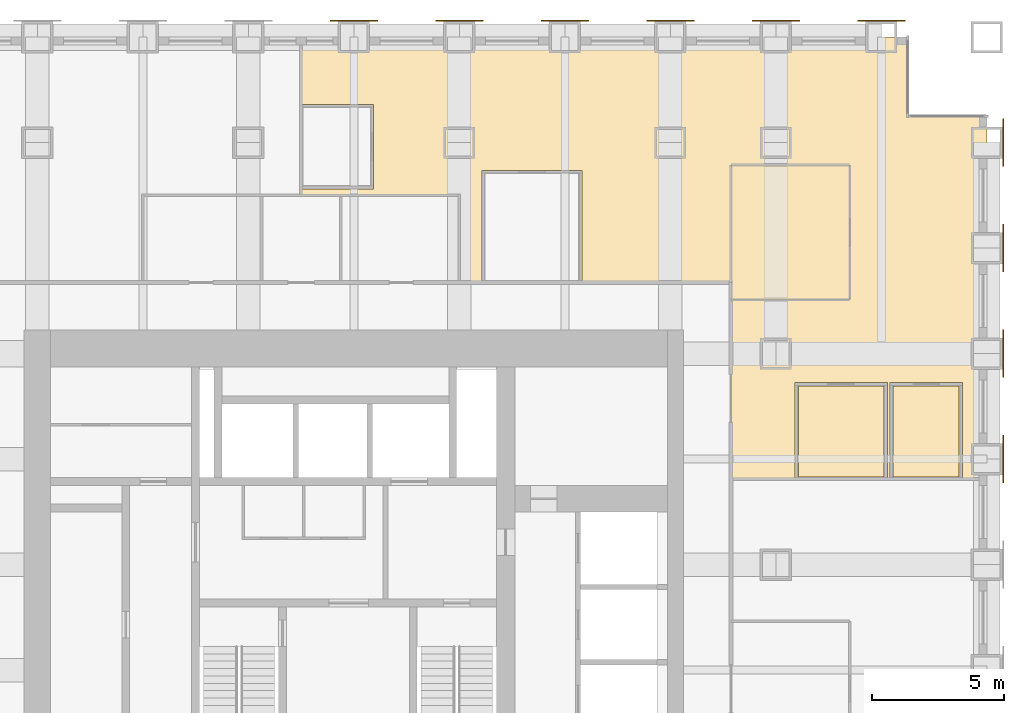
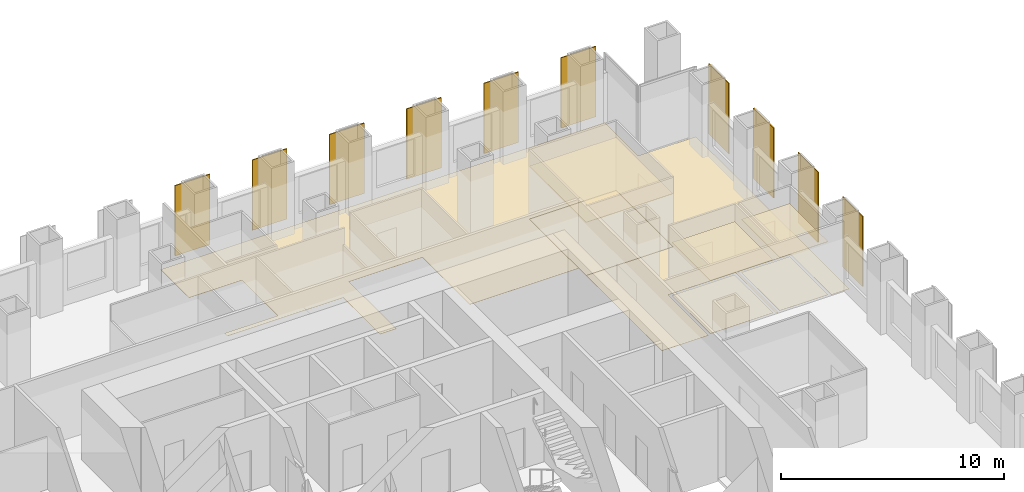
# One storey, part 14 of 14: 10 shading devices, 7 coverings.
"""IFC4 building model written with IfcOpenShell, lengths in metres."""

from ifc_helpers import new_model, si_unit, direction, frame, origin, origin_2d, place, context, subcontext, project, spatial, polyline, rectangle, outline, extrude, material, layer, layer_set, type_object, element, save


model = new_model("IFC4")

# Units and contexts
model_context = context("Model", 3, precision=1e-05, world=origin(), true_north=direction((0.0, 1.0)))
body_context = subcontext(model_context, "Body", "Model", "MODEL_VIEW")
ifc_project = project(units=[si_unit("LENGTHUNIT", "METRE"), si_unit("AREAUNIT", "SQUARE_METRE"), si_unit("VOLUMEUNIT", "CUBIC_METRE"), si_unit("PLANEANGLEUNIT", "RADIAN"), si_unit("MASSUNIT", "GRAM", prefix="KILO")], contexts=[model_context])

# Site, building, storey
site_placement = place(None, origin())
site = spatial("IfcSite", under=ifc_project, at=site_placement, CompositionType="ELEMENT")
building_placement = place(site_placement, origin())
building = spatial("IfcBuilding", under=site, at=building_placement, Name="Rimbunsela Tower", CompositionType="ELEMENT")
storey_placement = place(building_placement, frame((0.0, 0.0, 51.0)))
storey = spatial("IfcBuildingStorey", under=building, at=storey_placement, Name="L12", CompositionType="ELEMENT", Elevation=51.0)

# Coverings
ifc_material_1 = material(Name="Nylon carpet tile", Category="textile")
ifc_layer_1 = layer(ifc_material_1, 0.010009765625)
ifc_layer_set_1 = layer_set([ifc_layer_1], Name="Carpet tile 10")
covering_type_1 = type_object("IfcCoveringType", Name="Carpet tile 10", PredefinedType="FLOORING", material=ifc_layer_set_1)
covering_1_placement = place(storey_placement, origin())
element("IfcCovering", 1, at=covering_1_placement, inside=storey, type_object=covering_type_1, Name="Floor finish Open office", PredefinedType="FLOORING", context=body_context, shape_type="SweptSolid", body=[
    extrude(outline(polyline([(44.300048828125, 38.699951171875), (38.64990234375, 38.699951171875), (38.64990234375, 42.949951171875), (34.85009765625, 42.949951171875), (34.85009765625, 38.699951171875), (34.0, 38.699951171875), (34.0, 42.0), (28.0009765625, 42.0), (28.0009765625, 42.25), (30.75, 42.25), (30.75, 45.449951171875), (28.0009765625, 45.449951171875), (28.0009765625, 48.0), (44.300048828125, 48.0), (51.0, 48.0), (51.0, 45.0), (54.0, 45.0), (54.0, 31.2509765625), (53.074951171875, 31.2509765625), (53.074951171875, 34.89990234375), (50.324951171875, 34.89990234375), (50.324951171875, 31.2509765625), (50.22509765625, 31.2509765625), (50.22509765625, 34.89990234375), (46.72509765625, 34.89990234375), (46.72509765625, 31.2509765625), (44.300048828125, 31.2509765625), (44.300048828125, 38.050048828125), (48.800048828125, 38.050048828125), (48.800048828125, 43.14990234375), (44.300048828125, 43.14990234375), (44.300048828125, 38.699951171875)])), origin(), (0.0, 0.0, 1.0), 0.010009765625),
])
covering_2_placement = place(storey_placement, origin())
element("IfcCovering", 2, at=covering_2_placement, inside=storey, type_object=covering_type_1, Name="Floor finish Reception", PredefinedType="FLOORING", context=body_context, shape_type="SweptSolid", body=[
    extrude(outline(polyline([(48.800048828125, 38.050048828125), (48.800048828125, 43.14990234375), (44.300048828125, 43.14990234375), (44.300048828125, 38.050048828125), (48.800048828125, 38.050048828125)])), origin(), (0.0, 0.0, 1.0), 0.010009765625),
])
covering_3_placement = place(storey_placement, origin())
element("IfcCovering", 3, at=covering_3_placement, inside=storey, type_object=covering_type_1, Name="Floor finish Pantry", PredefinedType="FLOORING", context=body_context, shape_type="SweptSolid", body=[
    extrude(outline(polyline([(50.10009765625, 31.324951171875), (50.10009765625, 34.77490234375), (46.85009765625, 34.77490234375), (46.85009765625, 31.324951171875), (50.10009765625, 31.324951171875)])), origin(), (0.0, 0.0, 1.0), 0.010009765625),
])
covering_4_placement = place(storey_placement, origin())
element("IfcCovering", 4, at=covering_4_placement, inside=storey, type_object=covering_type_1, Name="Floor finish Print and copy room", PredefinedType="FLOORING", context=body_context, shape_type="SweptSolid", body=[
    extrude(outline(polyline([(52.949951171875, 31.324951171875), (52.949951171875, 34.77490234375), (50.449951171875, 34.77490234375), (50.449951171875, 31.324951171875), (52.949951171875, 31.324951171875)])), origin(), (0.0, 0.0, 1.0), 0.010009765625),
])
ifc_material_2 = material(Name="Mineral fibre ceiling tile", Category="gypsum")
ifc_layer_2 = layer(ifc_material_2, 0.02001953125)
ifc_layer_set_2 = layer_set([ifc_layer_2], Name="Ceiling 600 grid")
covering_type_2 = type_object("IfcCoveringType", Name="Ceiling 600 grid", PredefinedType="CEILING", material=ifc_layer_set_2)
covering_5_placement = place(storey_placement, frame((0.0, 0.0, 2.89990234375)))
element("IfcCovering", 5, at=covering_5_placement, inside=storey, type_object=covering_type_2, Name="Ceiling Reception", PredefinedType="CEILING", context=body_context, shape_type="SweptSolid", body=[
    extrude(outline(polyline([(48.800048828125, 38.050048828125), (48.800048828125, 43.14990234375), (44.300048828125, 43.14990234375), (44.300048828125, 38.050048828125), (48.800048828125, 38.050048828125)])), origin(), (0.0, 0.0, 1.0), 0.02001953125),
])
covering_6_placement = place(storey_placement, frame((0.0, 0.0, 2.89990234375)))
element("IfcCovering", 6, at=covering_6_placement, inside=storey, type_object=covering_type_2, Name="Ceiling Pantry", PredefinedType="CEILING", context=body_context, shape_type="SweptSolid", body=[
    extrude(outline(polyline([(50.10009765625, 31.324951171875), (50.10009765625, 34.77490234375), (46.85009765625, 34.77490234375), (46.85009765625, 31.324951171875), (50.10009765625, 31.324951171875)])), origin(), (0.0, 0.0, 1.0), 0.02001953125),
])
covering_7_placement = place(storey_placement, frame((0.0, 0.0, 2.89990234375)))
element("IfcCovering", 7, at=covering_7_placement, inside=storey, type_object=covering_type_2, Name="Ceiling Print and copy room", PredefinedType="CEILING", context=body_context, shape_type="SweptSolid", body=[
    extrude(outline(polyline([(52.949951171875, 31.324951171875), (52.949951171875, 34.77490234375), (50.449951171875, 34.77490234375), (50.449951171875, 31.324951171875), (52.949951171875, 31.324951171875)])), origin(), (0.0, 0.0, 1.0), 0.02001953125),
])

# Shading devices
ifc_material_3 = material(Name="Perforated aluminium, 35 % open area", Category="aluminium")
ifc_layer_3 = layer(ifc_material_3, 0.050048828125)
ifc_layer_set_3 = layer_set([ifc_layer_3], Name="Solar screen panel 1800")
shading_device_type = type_object("IfcShadingDeviceType", Name="Solar screen panel 1800", PredefinedType="USERDEFINED", material=ifc_layer_set_3)
for number, where, z_axis, x_axis, name in (
    (8, (54.625, 32.0, 0.0), (0.0, 0.0, 1.0), (0.0, 1.0, 0.0), "Solar screen E L12"),
    (9, (54.625, 36.0, 0.0), (0.0, 0.0, 1.0), (0.0, 1.0, 0.0), "Solar screen E L12"),
    (10, (54.625, 40.0, 0.0), (0.0, 0.0, 1.0), (0.0, 1.0, 0.0), "Solar screen E L12"),
    (11, (54.625, 44.0, 0.0), (0.0, 0.0, 1.0), (0.0, 1.0, 0.0), "Solar screen E L12"),
    (12, (30.0, 48.625, 0.0), (0.0, 0.0, 1.0), (1.0, 0.0, 0.0), "Solar screen N L12"),
    (13, (34.0, 48.625, 0.0), (0.0, 0.0, 1.0), (1.0, 0.0, 0.0), "Solar screen N L12"),
    (14, (38.0, 48.625, 0.0), (0.0, 0.0, 1.0), (1.0, 0.0, 0.0), "Solar screen N L12"),
    (15, (42.0, 48.625, 0.0), (0.0, 0.0, 1.0), (1.0, 0.0, 0.0), "Solar screen N L12"),
    (16, (46.0, 48.625, 0.0), (0.0, 0.0, 1.0), (1.0, 0.0, 0.0), "Solar screen N L12"),
    (17, (50.0, 48.625, 0.0), (0.0, 0.0, 1.0), (1.0, 0.0, 0.0), "Solar screen N L12"),
):
    element("IfcShadingDevice", number, at=place(storey_placement, frame(where, z_axis=z_axis, x_axis=x_axis)), inside=storey, type_object=shading_device_type, Name=name, ObjectType="SCREEN", PredefinedType="USERDEFINED", context=body_context, shape_type="SweptSolid", body=[
        extrude(rectangle(XDim=1.800048828125, YDim=0.050048828125, at=origin_2d()), origin(), (0.0, 0.0, 1.0), 3.85009765625),
    ])

save(model, "model.ifc")
